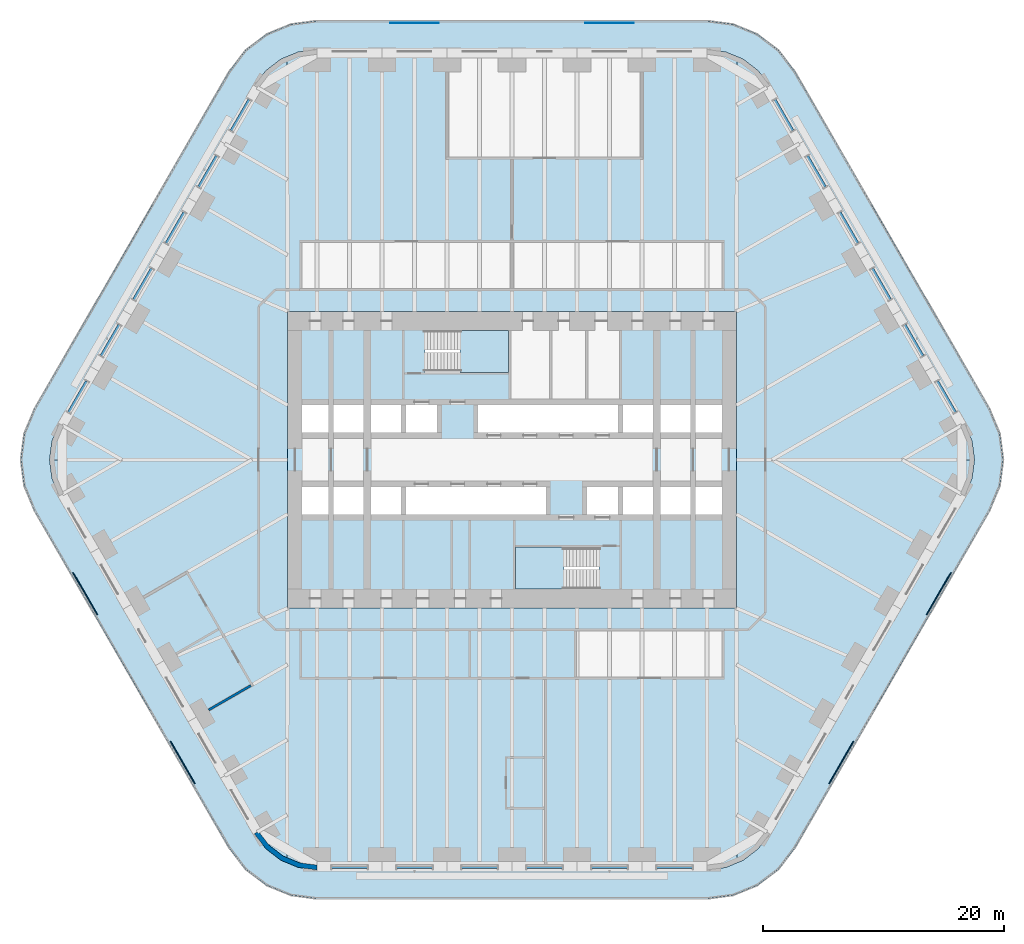
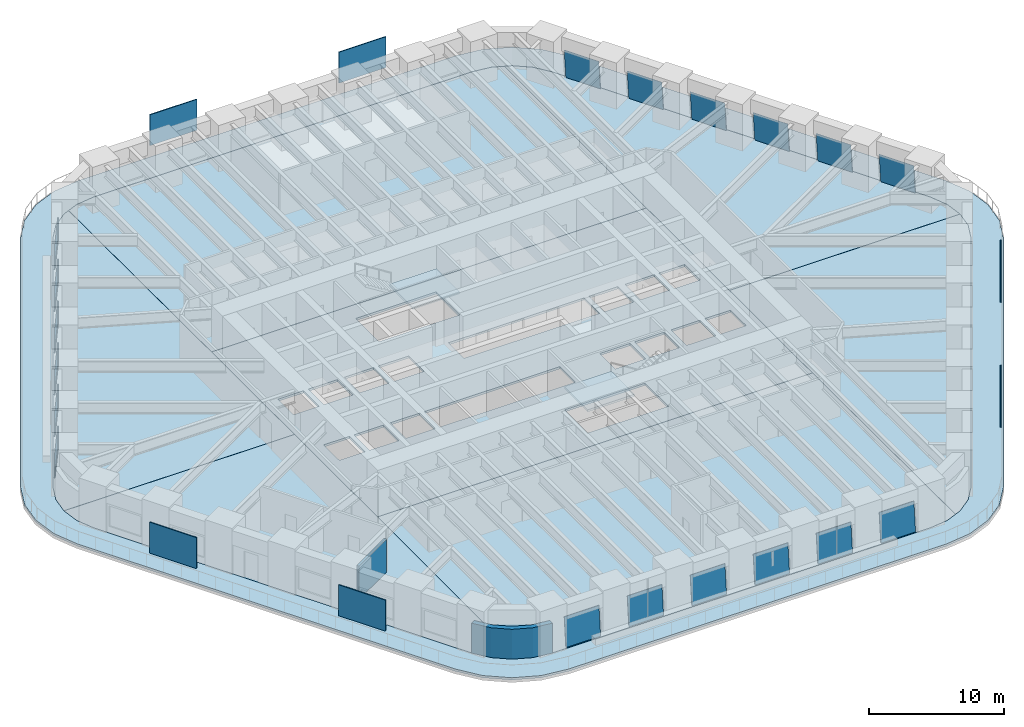
# One storey, part 15 of 23: 24 plates, 10 slabs, 2 walls, 20 elements without a shape of their own.
"""IFC4 building model written with IfcOpenShell, lengths in metres."""

from ifc_helpers import new_model, si_unit, direction, frame, frame_2d, origin, origin_2d, place, context, subcontext, project, spatial, polyline, rectangle, outline, extrude, material, layer, layer_set, type_object, element, aggregate, save


model = new_model("IFC4")

# Units and contexts
model_context = context("Model", 3, precision=1e-05, world=origin(), true_north=direction((0.0, 1.0)))
body_context = subcontext(model_context, "Body", "Model", "MODEL_VIEW")
ifc_project = project(units=[si_unit("LENGTHUNIT", "METRE"), si_unit("AREAUNIT", "SQUARE_METRE"), si_unit("VOLUMEUNIT", "CUBIC_METRE"), si_unit("PLANEANGLEUNIT", "RADIAN"), si_unit("MASSUNIT", "GRAM", prefix="KILO")], contexts=[model_context])

# Site, building, storey
site_placement = place(None, origin())
site = spatial("IfcSite", under=ifc_project, at=site_placement, CompositionType="ELEMENT")
building_placement = place(site_placement, origin())
building = spatial("IfcBuilding", under=site, at=building_placement, Name="Tarfa Lantern Tower", CompositionType="ELEMENT")
storey_placement = place(building_placement, frame((0.0, 0.0, 27.699951171875)))
storey = spatial("IfcBuildingStorey", under=building, at=storey_placement, Name="L05", CompositionType="ELEMENT", Elevation=27.699951171875)

# Slab
ifc_material_1 = material(Name="Concrete C40/50", Category="concrete")
ifc_layer_1 = layer(ifc_material_1, 0.199951171875)
ifc_layer_set_1 = layer_set([ifc_layer_1], Name="BS2 BALCONY SLAB 200")
slab_type_1 = type_object("IfcSlabType", Name="BS2 BALCONY SLAB 200", PredefinedType="FLOOR", material=ifc_layer_set_1)
slab_1_placement = place(storey_placement, frame((0.0, 0.0, -0.199951171875)))
element("IfcSlab", 1, at=slab_1_placement, inside=storey, type_object=slab_type_1, Name="Balcony L05", PredefinedType="FLOOR", context=body_context, shape_type="SweptSolid", body=[
    extrude(outline(polyline([(39.606201171875, 4.199951171875), (23.4404296875, 32.199951171875), (22.10546875, 33.939697265625), (20.36572265625, 35.274658203125), (18.33984375, 36.11376953125), (16.165771484375, 36.39990234375), (-16.165771484375, 36.39990234375), (-18.33984375, 36.11376953125), (-20.36572265625, 35.274658203125), (-22.10546875, 33.939697265625), (-23.4404296875, 32.199951171875), (-39.606201171875, 4.199951171875), (-40.4453125, 2.174072265625), (-40.731689453125, 0.0), (-40.4453125, -2.174072265625), (-39.606201171875, -4.199951171875), (-23.4404296875, -32.199951171875), (-22.10546875, -33.939697265625), (-20.36572265625, -35.274658203125), (-18.33984375, -36.11376953125), (-16.165771484375, -36.39990234375), (16.165771484375, -36.39990234375), (18.33984375, -36.11376953125), (20.36572265625, -35.274658203125), (22.10546875, -33.939697265625), (23.4404296875, -32.199951171875), (39.606201171875, -4.199951171875), (40.4453125, -2.174072265625), (40.731689453125, 0.0), (40.4453125, 2.174072265625), (39.606201171875, 4.199951171875)]), holes=[polyline([(37.52783203125, 3.0), (21.362060546875, 31.0), (20.408447265625, 32.24267578125), (19.165771484375, 33.196044921875), (17.71875, 33.795654296875), (16.165771484375, 34.0), (-16.165771484375, 34.0), (-17.71875, 33.795654296875), (-19.165771484375, 33.196044921875), (-20.408447265625, 32.24267578125), (-21.362060546875, 31.0), (-37.52783203125, 3.0), (-38.127197265625, 1.552978515625), (-38.33154296875, 0.0), (-38.127197265625, -1.552978515625), (-37.52783203125, -3.0), (-21.362060546875, -31.0), (-20.408447265625, -32.24267578125), (-19.165771484375, -33.196044921875), (-17.71875, -33.795654296875), (-16.165771484375, -34.0), (16.165771484375, -34.0), (17.71875, -33.795654296875), (19.165771484375, -33.196044921875), (20.408447265625, -32.24267578125), (21.362060546875, -31.0), (37.52783203125, -3.0), (38.127197265625, -1.552978515625), (38.33154296875, 0.0), (38.127197265625, 1.552978515625), (37.52783203125, 3.0)])]), origin(), (0.0, 0.0, 1.0), 0.199951171875),
])

# Curtain wall, plate
ifc_material_2 = material(Name="Aluminium framed curtain wall", Category="aluminium")
curtain_wall_type = type_object("IfcCurtainWallType", Name="CW1 CANTED GLAZING LOW ZONE 2700", PredefinedType="USERDEFINED", material=ifc_material_2)
curtain_wall_1_placement = place(storey_placement, origin())
curtain_wall_1 = element("IfcCurtainWall", 2, at=curtain_wall_1_placement, inside=storey, type_object=curtain_wall_type, Name="CW1 NE L05", ObjectType="CURTAIN WALL", PredefinedType="USERDEFINED")
ifc_material_3 = material(Name="Laminated double glazing", Category="glass")
ifc_layer_2 = layer(ifc_material_3, 0.028076171875)
ifc_layer_set_2 = layer_set([ifc_layer_2], Name="CWP1 DOUBLE GLAZED PANEL")
plate_type_1 = type_object("IfcPlateType", Name="CWP1 DOUBLE GLAZED PANEL", PredefinedType="CURTAIN_PANEL", material=ifc_layer_set_2)
plate_1_placement = place(storey_placement, frame((36.833740234375, 4.002197265625, 0.0), z_axis=(0.862327869115, 0.497882393798, 0.092215877663), x_axis=(-0.500013192991, 0.866017786667, 3.280829e-06)))
plate_1 = element("IfcPlate", 3, at=plate_1_placement, type_object=plate_type_1, Name="CW1 panel 1.1", PredefinedType="CURTAIN_PANEL", context=body_context, shape_type="SweptSolid", body=[
    extrude(outline(polyline([(0.0, 0.0), (2.9587247608884493, 1.3877787807814457e-17), (2.9586119504863087, 2.6462757391593192), (9.26313130443569e-06, 2.6462952359749448), (0.0, 0.0)])), origin(), (0.0, 0.0, -1.0), 0.028076171875),
])
aggregate(curtain_wall_1, [plate_1])

curtain_wall_2_placement = place(storey_placement, origin())
curtain_wall_2 = element("IfcCurtainWall", 4, at=curtain_wall_2_placement, inside=storey, type_object=curtain_wall_type, Name="CW1 NE L05", ObjectType="CURTAIN WALL", PredefinedType="USERDEFINED")
plate_2_placement = place(storey_placement, frame((34.139404296875, 8.6689453125, 0.0), z_axis=(0.862342481163, 0.497849746867, 0.09225548616), x_axis=(-0.499981985492, 0.866035804215, 0.0)))
plate_2 = element("IfcPlate", 5, at=plate_2_placement, type_object=plate_type_1, Name="CW1 panel 1.1", PredefinedType="CURTAIN_PANEL", context=body_context, shape_type="SweptSolid", body=[
    extrude(outline(polyline([(0.0, 0.0), (2.9586026892918595, 0.0), (2.958594509928721, 2.6462952380721316), (-8.179363138682455e-06, 2.6462952380721316), (0.0, 0.0)])), origin(), (0.0, 0.0, -1.0), 0.028076171875),
])
aggregate(curtain_wall_2, [plate_2])

curtain_wall_3_placement = place(storey_placement, origin())
curtain_wall_3 = element("IfcCurtainWall", 6, at=curtain_wall_3_placement, inside=storey, type_object=curtain_wall_type, Name="CW1 NE L05", ObjectType="CURTAIN WALL", PredefinedType="USERDEFINED")
plate_3_placement = place(storey_placement, frame((31.445068359375, 13.33544921875, 0.0), z_axis=(0.862331536503, 0.497884511238, 0.09217013953), x_axis=(-0.500012666981, 0.86601809037, -3.279351e-06)))
plate_3 = element("IfcPlate", 7, at=plate_3_placement, type_object=plate_type_1, Name="CW1 panel 1.1", PredefinedType="CURTAIN_PANEL", context=body_context, shape_type="SweptSolid", body=[
    extrude(outline(polyline([(0.0, 0.0), (2.958602687419229, -2.7755575615628914e-17), (2.9588059463239933, 2.6462839775192477), (8.118549973916932e-05, 2.6462644895697935), (0.0, 0.0)])), origin(), (0.0, 0.0, -1.0), 0.028076171875),
])
aggregate(curtain_wall_3, [plate_3])

curtain_wall_4_placement = place(storey_placement, origin())
curtain_wall_4 = element("IfcCurtainWall", 8, at=curtain_wall_4_placement, inside=storey, type_object=curtain_wall_type, Name="CW1 NE L05", ObjectType="CURTAIN WALL", PredefinedType="USERDEFINED")
plate_4_placement = place(storey_placement, frame((28.750732421875, 18.002197265625, 0.0), z_axis=(0.862327869115, 0.497882393798, 0.092215877663), x_axis=(-0.50001266672, 0.866018090521, -3.280965e-06)))
plate_4 = element("IfcPlate", 9, at=plate_4_placement, type_object=plate_type_1, Name="CW1 panel 1.1", PredefinedType="CURTAIN_PANEL", context=body_context, shape_type="SweptSolid", body=[
    extrude(outline(polyline([(0.0, 0.0), (2.958602687419245, 1.3877787807814457e-17), (2.9585945118013295, 2.646295235978528), (-0.00013024902287634953, 2.646275738358454), (0.0, 0.0)])), origin(), (0.0, 0.0, -1.0), 0.028076171875),
])
aggregate(curtain_wall_4, [plate_4])

curtain_wall_5_placement = place(storey_placement, origin())
curtain_wall_5 = element("IfcCurtainWall", 10, at=curtain_wall_5_placement, inside=storey, type_object=curtain_wall_type, Name="CW1 NE L05", ObjectType="CURTAIN WALL", PredefinedType="USERDEFINED")
plate_5_placement = place(storey_placement, frame((26.056396484375, 22.6689453125, 0.0), z_axis=(0.862348834857, 0.497853414997, 0.092176266992), x_axis=(-0.499981985492, 0.866035804215, 0.0)))
plate_5 = element("IfcPlate", 11, at=plate_5_placement, type_object=plate_type_1, Name="CW1 panel 1.1", PredefinedType="CURTAIN_PANEL", context=body_context, shape_type="SweptSolid", body=[
    extrude(outline(polyline([(0.0, 0.0), (2.9586026892918595, 0.0), (2.958472444014294, 2.6462757404522685), (-0.0001302452775655129, 2.6462757404522685), (0.0, 0.0)])), origin(), (0.0, 0.0, -1.0), 0.028076171875),
])
aggregate(curtain_wall_5, [plate_5])

curtain_wall_6_placement = place(storey_placement, origin())
curtain_wall_6 = element("IfcCurtainWall", 12, at=curtain_wall_6_placement, inside=storey, type_object=curtain_wall_type, Name="CW1 NE L05", ObjectType="CURTAIN WALL", PredefinedType="USERDEFINED")
plate_6_placement = place(storey_placement, frame((23.362060546875, 27.33544921875, 0.0), z_axis=(0.862352500545, 0.497855531282, 0.092130531185), x_axis=(-0.499981985492, 0.866035804215, 0.0)))
plate_6 = element("IfcPlate", 13, at=plate_6_placement, type_object=plate_type_1, Name="CW1 panel 1.1", PredefinedType="CURTAIN_PANEL", context=body_context, shape_type="SweptSolid", body=[
    extrude(outline(polyline([(0.0, 0.0), (2.9586026892918595, -1.3877787807814457e-17), (2.958683878536808, 2.646264491663335), (8.118924494802948e-05, 2.646264491663335), (0.0, 0.0)])), origin(), (0.0, 0.0, -1.0), 0.028076171875),
])
aggregate(curtain_wall_6, [plate_6])

curtain_wall_7_placement = place(storey_placement, origin())
curtain_wall_7 = element("IfcCurtainWall", 14, at=curtain_wall_7_placement, inside=storey, type_object=curtain_wall_type, Name="CW1 NW L05", ObjectType="CURTAIN WALL", PredefinedType="USERDEFINED")
plate_7_placement = place(storey_placement, frame((-21.8828125, 29.897705078125, 0.0), z_axis=(-0.862352500545, 0.497855531282, 0.092130531185), x_axis=(-0.499981985492, -0.866035804215, 0.0)))
plate_7 = element("IfcPlate", 15, at=plate_7_placement, type_object=plate_type_1, Name="CW1 panel 1.1", PredefinedType="CURTAIN_PANEL", context=body_context, shape_type="SweptSolid", body=[
    extrude(outline(polyline([(0.0, 0.0), (2.9586026892918595, 1.3877787807814457e-17), (2.9585215000469116, 2.646264491663335), (-8.118924494802948e-05, 2.646264491663335), (0.0, 0.0)])), origin(), (0.0, 0.0, -1.0), 0.028076171875),
])
aggregate(curtain_wall_7, [plate_7])

curtain_wall_8_placement = place(storey_placement, origin())
curtain_wall_8 = element("IfcCurtainWall", 16, at=curtain_wall_8_placement, inside=storey, type_object=curtain_wall_type, Name="CW1 NW L05", ObjectType="CURTAIN WALL", PredefinedType="USERDEFINED")
plate_8_placement = place(storey_placement, frame((-24.5771484375, 25.231201171875, 0.0), z_axis=(-0.862348834857, 0.497853414997, 0.092176266992), x_axis=(-0.499981985492, -0.866035804215, 0.0)))
plate_8 = element("IfcPlate", 17, at=plate_8_placement, type_object=plate_type_1, Name="CW1 panel 1.1", PredefinedType="CURTAIN_PANEL", context=body_context, shape_type="SweptSolid", body=[
    extrude(outline(polyline([(0.0, 0.0), (2.9586026892918595, 0.0), (2.9587329345694253, 2.6462757404522685), (0.0001302452775655129, 2.6462757404522685), (0.0, 0.0)])), origin(), (0.0, 0.0, -1.0), 0.028076171875),
])
aggregate(curtain_wall_8, [plate_8])

curtain_wall_9_placement = place(storey_placement, origin())
curtain_wall_9 = element("IfcCurtainWall", 18, at=curtain_wall_9_placement, inside=storey, type_object=curtain_wall_type, Name="CW1 NW L05", ObjectType="CURTAIN WALL", PredefinedType="USERDEFINED")
plate_9_placement = place(storey_placement, frame((-27.271484375, 20.564453125, 0.0), z_axis=(-0.862327869115, 0.497882393798, 0.092215877663), x_axis=(-0.50001266672, -0.866018090521, 3.280965e-06)))
plate_9 = element("IfcPlate", 19, at=plate_9_placement, type_object=plate_type_1, Name="CW1 panel 1.1", PredefinedType="CURTAIN_PANEL", context=body_context, shape_type="SweptSolid", body=[
    extrude(outline(polyline([(0.0, 0.0), (2.958602687419245, -1.3877787807814457e-17), (2.9587329364421215, 2.646275738358454), (8.175617915423306e-06, 2.646295235978528), (0.0, 0.0)])), origin(), (0.0, 0.0, -1.0), 0.028076171875),
])
aggregate(curtain_wall_9, [plate_9])

curtain_wall_10_placement = place(storey_placement, origin())
curtain_wall_10 = element("IfcCurtainWall", 20, at=curtain_wall_10_placement, inside=storey, type_object=curtain_wall_type, Name="CW1 NW L05", ObjectType="CURTAIN WALL", PredefinedType="USERDEFINED")
plate_10_placement = place(storey_placement, frame((-29.9658203125, 15.897705078125, 0.0), z_axis=(-0.862331536503, 0.497884511238, 0.09217013953), x_axis=(-0.500012666981, -0.86601809037, 3.279351e-06)))
plate_10 = element("IfcPlate", 21, at=plate_10_placement, type_object=plate_type_1, Name="CW1 panel 1.1", PredefinedType="CURTAIN_PANEL", context=body_context, shape_type="SweptSolid", body=[
    extrude(outline(polyline([(0.0, 0.0), (2.958602687419229, 2.7755575615628914e-17), (2.95852150191949, 2.6462644895697935), (-0.00020325890476380847, 2.6462839775192477), (0.0, 0.0)])), origin(), (0.0, 0.0, -1.0), 0.028076171875),
])
aggregate(curtain_wall_10, [plate_10])

curtain_wall_11_placement = place(storey_placement, origin())
curtain_wall_11 = element("IfcCurtainWall", 22, at=curtain_wall_11_placement, inside=storey, type_object=curtain_wall_type, Name="CW1 NW L05", ObjectType="CURTAIN WALL", PredefinedType="USERDEFINED")
plate_11_placement = place(storey_placement, frame((-32.66015625, 11.231201171875, 0.0), z_axis=(-0.862342481163, 0.497849746867, 0.09225548616), x_axis=(-0.499981985492, -0.866035804215, 0.0)))
plate_11 = element("IfcPlate", 23, at=plate_11_placement, type_object=plate_type_1, Name="CW1 panel 1.1", PredefinedType="CURTAIN_PANEL", context=body_context, shape_type="SweptSolid", body=[
    extrude(outline(polyline([(0.0, 0.0), (2.9586026892918595, 0.0), (2.9586108686549983, 2.6462952380721316), (8.179363138682455e-06, 2.6462952380721316), (0.0, 0.0)])), origin(), (0.0, 0.0, -1.0), 0.028076171875),
])
aggregate(curtain_wall_11, [plate_11])

curtain_wall_12_placement = place(storey_placement, origin())
curtain_wall_12 = element("IfcCurtainWall", 24, at=curtain_wall_12_placement, inside=storey, type_object=curtain_wall_type, Name="CW1 NW L05", ObjectType="CURTAIN WALL", PredefinedType="USERDEFINED")
plate_12_placement = place(storey_placement, frame((-35.354248046875, 6.564453125, 0.0), z_axis=(-0.862327869115, 0.497882393798, 0.092215877663), x_axis=(-0.500013192991, -0.866017786667, -3.280829e-06)))
plate_12 = element("IfcPlate", 25, at=plate_12_placement, type_object=plate_type_1, Name="CW1 panel 1.1", PredefinedType="CURTAIN_PANEL", context=body_context, shape_type="SweptSolid", body=[
    extrude(outline(polyline([(0.0, 0.0), (2.9587247608884493, -1.3877787807814457e-17), (2.9587154977571455, 2.6462952359749448), (0.00011281040214067216, 2.6462757391593192), (0.0, 0.0)])), origin(), (0.0, 0.0, -1.0), 0.028076171875),
])
aggregate(curtain_wall_12, [plate_12])

curtain_wall_13_placement = place(storey_placement, origin())
curtain_wall_13 = element("IfcCurtainWall", 26, at=curtain_wall_13_placement, inside=storey, type_object=curtain_wall_type, Name="CW1 S L05", ObjectType="CURTAIN WALL", PredefinedType="USERDEFINED")
plate_13_placement = place(storey_placement, frame((-14.950927734375, -33.89990234375, 0.0), z_axis=(0.0, -0.995743653657, 0.092166025202), x_axis=(1.0, 0.0, 0.0)))
plate_13 = element("IfcPlate", 27, at=plate_13_placement, type_object=plate_type_1, Name="CW1 panel 1.1", PredefinedType="CURTAIN_PANEL", context=body_context, shape_type="SweptSolid", body=[
    extrude(outline(polyline([(0.0, 0.0), (2.958740234375, 0.0), (2.958740234375, 2.6462732209712594), (0.0, 2.6462732209712594), (0.0, 0.0)])), origin(), (0.0, 0.0, -1.0), 0.028076171875),
])
aggregate(curtain_wall_13, [plate_13])

curtain_wall_14_placement = place(storey_placement, origin())
curtain_wall_14 = element("IfcCurtainWall", 28, at=curtain_wall_14_placement, inside=storey, type_object=curtain_wall_type, Name="CW1 S L05", ObjectType="CURTAIN WALL", PredefinedType="USERDEFINED")
plate_14_placement = place(storey_placement, frame((-9.562255859375, -33.89990234375, 0.0), z_axis=(0.0, -0.995743653657, 0.092166025202), x_axis=(1.0, 0.0, 0.0)))
plate_14 = element("IfcPlate", 29, at=plate_14_placement, type_object=plate_type_1, Name="CW1 panel 1.1", PredefinedType="CURTAIN_PANEL", context=body_context, shape_type="SweptSolid", body=[
    extrude(outline(polyline([(0.0, 0.0), (2.958740234375, 0.0), (2.958740234375, 2.6462732209712594), (0.0, 2.6462732209712594), (0.0, 0.0)])), origin(), (0.0, 0.0, -1.0), 0.028076171875),
])
aggregate(curtain_wall_14, [plate_14])

curtain_wall_15_placement = place(storey_placement, origin())
curtain_wall_15 = element("IfcCurtainWall", 30, at=curtain_wall_15_placement, inside=storey, type_object=curtain_wall_type, Name="CW1 S L05", ObjectType="CURTAIN WALL", PredefinedType="USERDEFINED")
plate_15_placement = place(storey_placement, frame((-4.173583984375, -33.89990234375, 0.0), z_axis=(0.0, -0.995743653657, 0.092166025202), x_axis=(1.0, 0.0, 0.0)))
plate_15 = element("IfcPlate", 31, at=plate_15_placement, type_object=plate_type_1, Name="CW1 panel 1.1", PredefinedType="CURTAIN_PANEL", context=body_context, shape_type="SweptSolid", body=[
    extrude(outline(polyline([(0.0, 0.0), (2.95849609375, 0.0), (2.95849609375, 2.6462732209712594), (0.0, 2.6462732209712594), (0.0, 0.0)])), origin(), (0.0, 0.0, -1.0), 0.028076171875),
])
aggregate(curtain_wall_15, [plate_15])

curtain_wall_16_placement = place(storey_placement, origin())
curtain_wall_16 = element("IfcCurtainWall", 32, at=curtain_wall_16_placement, inside=storey, type_object=curtain_wall_type, Name="CW1 S L05", ObjectType="CURTAIN WALL", PredefinedType="USERDEFINED")
plate_16_placement = place(storey_placement, frame((1.215087890625, -33.89990234375, 0.0), z_axis=(0.0, -0.995743653657, 0.092166025202), x_axis=(1.0, 0.0, 0.0)))
plate_16 = element("IfcPlate", 33, at=plate_16_placement, type_object=plate_type_1, Name="CW1 panel 1.1", PredefinedType="CURTAIN_PANEL", context=body_context, shape_type="SweptSolid", body=[
    extrude(outline(polyline([(0.0, 0.0), (2.95849609375, 0.0), (2.95849609375, 2.6462732209712594), (0.0, 2.6462732209712594), (0.0, 0.0)])), origin(), (0.0, 0.0, -1.0), 0.028076171875),
])
aggregate(curtain_wall_16, [plate_16])

curtain_wall_17_placement = place(storey_placement, origin())
curtain_wall_17 = element("IfcCurtainWall", 34, at=curtain_wall_17_placement, inside=storey, type_object=curtain_wall_type, Name="CW1 S L05", ObjectType="CURTAIN WALL", PredefinedType="USERDEFINED")
plate_17_placement = place(storey_placement, frame((6.603515625, -33.89990234375, 0.0), z_axis=(0.0, -0.995743653657, 0.092166025202), x_axis=(1.0, 0.0, 0.0)))
plate_17 = element("IfcPlate", 35, at=plate_17_placement, type_object=plate_type_1, Name="CW1 panel 1.1", PredefinedType="CURTAIN_PANEL", context=body_context, shape_type="SweptSolid", body=[
    extrude(outline(polyline([(0.0, 0.0), (2.958740234375, 0.0), (2.958740234375, 2.6462732209712594), (0.0, 2.6462732209712594), (0.0, 0.0)])), origin(), (0.0, 0.0, -1.0), 0.028076171875),
])
aggregate(curtain_wall_17, [plate_17])

curtain_wall_18_placement = place(storey_placement, origin())
curtain_wall_18 = element("IfcCurtainWall", 36, at=curtain_wall_18_placement, inside=storey, type_object=curtain_wall_type, Name="CW1 S L05", ObjectType="CURTAIN WALL", PredefinedType="USERDEFINED")
plate_18_placement = place(storey_placement, frame((11.9921875, -33.89990234375, 0.0), z_axis=(0.0, -0.995743653657, 0.092166025202), x_axis=(1.0, 0.0, 0.0)))
plate_18 = element("IfcPlate", 37, at=plate_18_placement, type_object=plate_type_1, Name="CW1 panel 1.1", PredefinedType="CURTAIN_PANEL", context=body_context, shape_type="SweptSolid", body=[
    extrude(outline(polyline([(0.0, 0.0), (2.958740234375, 0.0), (2.958740234375, 2.6462732209712594), (0.0, 2.6462732209712594), (0.0, 0.0)])), origin(), (0.0, 0.0, -1.0), 0.028076171875),
])
aggregate(curtain_wall_18, [plate_18])

# Slabs
ifc_layer_3 = layer(ifc_material_1, 0.199951171875)
ifc_layer_set_3 = layer_set([ifc_layer_3], Name="FS1 FLOOR SLAB 200")
slab_type_2 = type_object("IfcSlabType", Name="FS1 FLOOR SLAB 200", PredefinedType="FLOOR", material=ifc_layer_set_3)
slab_2_placement = place(storey_placement, frame((0.0, 0.0, -0.199951171875)))
element("IfcSlab", 38, at=slab_2_placement, inside=storey, type_object=slab_type_2, Name="Floor slab L05", PredefinedType="FLOOR", context=body_context, shape_type="SweptSolid", body=[
    extrude(outline(polyline([(-18.60009765625, -12.300048828125), (18.60009765625, -12.300048828125), (18.60009765625, 12.300048828125), (-18.60009765625, 12.300048828125), (-18.60009765625, -12.300048828125)]), holes=[polyline([(-17.39990234375, 2.25), (-15.199951171875, 2.25), (-15.199951171875, 4.550048828125), (-17.39990234375, 4.550048828125), (-17.39990234375, 2.25)]), polyline([(-14.800048828125, 2.25), (-12.300048828125, 2.25), (-12.300048828125, 4.550048828125), (-14.800048828125, 4.550048828125), (-14.800048828125, 2.25)]), polyline([(-11.699951171875, 2.25), (-9.199951171875, 2.25), (-9.199951171875, 4.550048828125), (-11.699951171875, 4.550048828125), (-11.699951171875, 2.25)]), polyline([(-8.800048828125, 2.25), (-6.199951171875, 2.25), (-6.199951171875, 4.550048828125), (-8.800048828125, 4.550048828125), (-8.800048828125, 2.25)]), polyline([(-2.800048828125, 2.25), (8.800048828125, 2.25), (8.800048828125, 4.550048828125), (-2.800048828125, 4.550048828125), (-2.800048828125, 2.25)]), polyline([(9.199951171875, 2.25), (11.699951171875, 2.25), (11.699951171875, 4.550048828125), (9.199951171875, 4.550048828125), (9.199951171875, 2.25)]), polyline([(12.300048828125, 2.25), (14.800048828125, 2.25), (14.800048828125, 4.550048828125), (12.300048828125, 4.550048828125), (12.300048828125, 2.25)]), polyline([(15.199951171875, 2.25), (17.39990234375, 2.25), (17.39990234375, 4.550048828125), (15.199951171875, 4.550048828125), (15.199951171875, 2.25)]), polyline([(17.39990234375, -2.25), (15.199951171875, -2.25), (15.199951171875, -4.550048828125), (17.39990234375, -4.550048828125), (17.39990234375, -2.25)]), polyline([(14.800048828125, -2.25), (12.300048828125, -2.25), (12.300048828125, -4.550048828125), (14.800048828125, -4.550048828125), (14.800048828125, -2.25)]), polyline([(11.699951171875, -2.25), (9.199951171875, -2.25), (9.199951171875, -4.550048828125), (11.699951171875, -4.550048828125), (11.699951171875, -2.25)]), polyline([(8.800048828125, -2.25), (6.199951171875, -2.25), (6.199951171875, -4.550048828125), (8.800048828125, -4.550048828125), (8.800048828125, -2.25)]), polyline([(2.800048828125, -2.25), (-8.800048828125, -2.25), (-8.800048828125, -4.550048828125), (2.800048828125, -4.550048828125), (2.800048828125, -2.25)]), polyline([(-9.199951171875, -2.25), (-11.699951171875, -2.25), (-11.699951171875, -4.550048828125), (-9.199951171875, -4.550048828125), (-9.199951171875, -2.25)]), polyline([(-12.300048828125, -2.25), (-14.800048828125, -2.25), (-14.800048828125, -4.550048828125), (-12.300048828125, -4.550048828125), (-12.300048828125, -2.25)]), polyline([(-15.199951171875, -2.25), (-17.39990234375, -2.25), (-17.39990234375, -4.550048828125), (-15.199951171875, -4.550048828125), (-15.199951171875, -2.25)]), polyline([(-7.199951171875, 7.25), (-0.300048828125, 7.25), (-0.300048828125, 10.699951171875), (-7.199951171875, 10.699951171875), (-7.199951171875, 7.25)]), polyline([(7.199951171875, -7.25), (0.300048828125, -7.25), (0.300048828125, -10.699951171875), (7.199951171875, -10.699951171875), (7.199951171875, -7.25)])]), origin(), (0.0, 0.0, 1.0), 0.199951171875),
])
slab_3_placement = place(storey_placement, frame((0.0, 0.0, -0.199951171875)))
element("IfcSlab", 39, at=slab_3_placement, inside=storey, type_object=slab_type_2, Name="Floor slab L05 NE bay", PredefinedType="FLOOR", context=body_context, shape_type="SweptSolid", body=[
    extrude(outline(polyline([(37.52587890625, 2.9990234375), (21.3603515625, 30.998779296875), (20.406982421875, 32.2412109375), (19.164794921875, 33.1943359375), (18.64697265625, 33.408935546875), (18.60205078125, 12.300048828125), (18.60205078125, 0.001953125), (38.329345703125, 0.001953125), (38.125244140625, 1.552490234375), (37.52587890625, 2.9990234375)])), origin(), (0.0, 0.0, 1.0), 0.199951171875),
])
slab_4_placement = place(storey_placement, frame((0.0, 0.0, -0.199951171875)))
element("IfcSlab", 40, at=slab_4_placement, inside=storey, type_object=slab_type_2, Name="Floor slab L05 N bay", PredefinedType="FLOOR", context=body_context, shape_type="SweptSolid", body=[
    extrude(outline(polyline([(-18.597900390625, 12.302001953125), (18.597900390625, 12.302001953125), (18.64306640625, 33.41064453125), (17.71826171875, 33.793701171875), (16.165771484375, 33.998046875), (-16.165771484375, 33.998046875), (-17.71826171875, 33.793701171875), (-18.64306640625, 33.41064453125), (-18.597900390625, 12.302001953125)])), origin(), (0.0, 0.0, 1.0), 0.199951171875),
])
slab_5_placement = place(storey_placement, frame((0.0, 0.0, -0.199951171875)))
element("IfcSlab", 41, at=slab_5_placement, inside=storey, type_object=slab_type_2, Name="Floor slab L05 NW bay", PredefinedType="FLOOR", context=body_context, shape_type="SweptSolid", body=[
    extrude(outline(polyline([(-18.60205078125, 0.001953125), (-18.60205078125, 12.300048828125), (-18.64697265625, 33.408935546875), (-19.164794921875, 33.1943359375), (-20.406982421875, 32.2412109375), (-21.3603515625, 30.998779296875), (-37.52587890625, 2.9990234375), (-38.125244140625, 1.552490234375), (-38.329345703125, 0.001953125), (-18.60205078125, 0.001953125)])), origin(), (0.0, 0.0, 1.0), 0.199951171875),
])
slab_6_placement = place(storey_placement, frame((0.0, 0.0, -0.199951171875)))
element("IfcSlab", 42, at=slab_6_placement, inside=storey, type_object=slab_type_2, Name="Floor slab L05 SW bay", PredefinedType="FLOOR", context=body_context, shape_type="SweptSolid", body=[
    extrude(outline(polyline([(-18.60205078125, -12.300048828125), (-18.60205078125, -0.001953125), (-38.329345703125, -0.001953125), (-38.125244140625, -1.552490234375), (-37.52587890625, -2.9990234375), (-21.3603515625, -30.998779296875), (-20.406982421875, -32.2412109375), (-19.164794921875, -33.1943359375), (-18.64697265625, -33.408935546875), (-18.60205078125, -12.300048828125)])), origin(), (0.0, 0.0, 1.0), 0.199951171875),
])
slab_7_placement = place(storey_placement, frame((0.0, 0.0, -0.199951171875)))
element("IfcSlab", 43, at=slab_7_placement, inside=storey, type_object=slab_type_2, Name="Floor slab L05 S bay", PredefinedType="FLOOR", context=body_context, shape_type="SweptSolid", body=[
    extrude(outline(polyline([(18.597900390625, -12.302001953125), (-18.597900390625, -12.302001953125), (-18.64306640625, -33.41064453125), (-17.71826171875, -33.793701171875), (-16.165771484375, -33.998046875), (16.165771484375, -33.998046875), (17.71826171875, -33.793701171875), (18.64306640625, -33.41064453125), (18.597900390625, -12.302001953125)])), origin(), (0.0, 0.0, 1.0), 0.199951171875),
])
slab_8_placement = place(storey_placement, frame((0.0, 0.0, -0.199951171875)))
element("IfcSlab", 44, at=slab_8_placement, inside=storey, type_object=slab_type_2, Name="Floor slab L05 SE bay", PredefinedType="FLOOR", context=body_context, shape_type="SweptSolid", body=[
    extrude(outline(polyline([(18.60205078125, -0.001953125), (18.60205078125, -12.300048828125), (18.64697265625, -33.408935546875), (19.164794921875, -33.1943359375), (20.406982421875, -32.2412109375), (21.3603515625, -30.998779296875), (37.52587890625, -2.9990234375), (38.125244140625, -1.552490234375), (38.329345703125, -0.001953125), (18.60205078125, -0.001953125)])), origin(), (0.0, 0.0, 1.0), 0.199951171875),
])

# Plates
ifc_material_4 = material(Name="Perforated limestone screen", Category="masonry")
ifc_layer_4 = layer(ifc_material_4, 0.080078125)
ifc_layer_set_4 = layer_set([ifc_layer_4], Name="SC1 STONE SCREEN 80")
plate_type_2 = type_object("IfcPlateType", Name="SC1 STONE SCREEN 80", PredefinedType="USERDEFINED", material=ifc_layer_set_4)
for number, where, z_axis, x_axis, name in (
    (45, (8.0830078125, 36.199951171875, 1.2001953125), (0.0, 0.0, 1.0), (-1.0, 0.0, 0.0), "Stone screen N 1"),
    (46, (-8.0830078125, 36.199951171875, 1.2001953125), (0.0, 0.0, 1.0), (-1.0, 0.0, 0.0), "Stone screen N 2"),
    (47, (-35.3916015625, -11.10009765625, 1.2001953125), (0.0, 0.0, 1.0), (0.5, -0.866025403784, 0.0), "Stone screen SW 1"),
    (48, (-27.30859375, -25.10009765625, 1.2001953125), (0.0, 0.0, 1.0), (0.5, -0.866025403784, 0.0), "Stone screen SW 2"),
    (49, (27.30859375, -25.10009765625, 1.2001953125), (0.0, 0.0, 1.0), (0.5, 0.866025403784, 0.0), "Stone screen SE 1"),
    (50, (35.3916015625, -11.10009765625, 1.2001953125), (0.0, 0.0, 1.0), (0.5, 0.866025403784, 0.0), "Stone screen SE 2"),
):
    element("IfcPlate", number, at=place(storey_placement, frame(where, z_axis=z_axis, x_axis=x_axis)), inside=storey, type_object=plate_type_2, Name=name, ObjectType="SCREEN", PredefinedType="USERDEFINED", context=body_context, shape_type="SweptSolid", body=[
        extrude(rectangle(XDim=4.0, YDim=0.080078125, at=origin_2d()), origin(), (0.0, 0.0, 1.0), 2.800048828125),
    ])

# Stair, slab
stair_type = type_object("IfcStairType", Name="ST-T10 HALF-TURN STAIR 4200 RISE", PredefinedType="HALF_TURN_STAIR", material=ifc_material_1)
stair_1_placement = place(storey_placement, origin())
stair_1 = element("IfcStair", 51, at=stair_1_placement, inside=storey, type_object=stair_type, Name="Stair ST1", PredefinedType="HALF_TURN_STAIR")
ifc_layer_5 = layer(ifc_material_1, 0.199951171875)
ifc_layer_set_5 = layer_set([ifc_layer_5], Name="SL1 STAIR LANDING 200")
slab_type_3 = type_object("IfcSlabType", Name="SL1 STAIR LANDING 200", PredefinedType="LANDING", material=ifc_layer_set_5)
slab_9_placement = place(storey_placement, frame((0.0, 0.0, 1.900146484375)))
slab_9 = element("IfcSlab", 52, at=slab_9_placement, type_object=slab_type_3, Name="ST1 landing 1", PredefinedType="LANDING", context=body_context, shape_type="SweptSolid", body=[
    extrude(outline(polyline([(-4.320068359375, 7.25), (-0.300048828125, 7.25), (-0.300048828125, 10.699951171875), (-4.320068359375, 10.699951171875), (-4.320068359375, 7.25)])), origin(), (0.0, 0.0, 1.0), 0.199951171875),
])
aggregate(stair_1, [slab_9])

stair_2_placement = place(storey_placement, origin())
stair_2 = element("IfcStair", 53, at=stair_2_placement, inside=storey, type_object=stair_type, Name="Stair ST2", PredefinedType="HALF_TURN_STAIR")
slab_10_placement = place(storey_placement, frame((0.0, 0.0, 1.900146484375)))
slab_10 = element("IfcSlab", 54, at=slab_10_placement, type_object=slab_type_3, Name="ST2 landing 1", PredefinedType="LANDING", context=body_context, shape_type="SweptSolid", body=[
    extrude(outline(polyline([(4.320068359375, -7.25), (0.300048828125, -7.25), (0.300048828125, -10.699951171875), (4.320068359375, -10.699951171875), (4.320068359375, -7.25)])), origin(), (0.0, 0.0, 1.0), 0.199951171875),
])
aggregate(stair_2, [slab_10])

# Walls
ifc_material_5 = material(Name="Limestone cladding on blockwork", Category="masonry")
ifc_layer_6 = layer(ifc_material_5, 0.39990234375)
ifc_layer_set_6 = layer_set([ifc_layer_6], Name="EW2 CURVED STONE CORNER 400")
wall_type_1 = type_object("IfcWallType", Name="EW2 CURVED STONE CORNER 400", PredefinedType="SOLIDWALL", material=ifc_layer_set_6)
wall_1_placement = place(storey_placement, origin())
element("IfcWall", 55, at=wall_1_placement, inside=storey, type_object=wall_type_1, Name="Stone corner SW-S", PredefinedType="SOLIDWALL", context=body_context, shape_type="SweptSolid", body=[
    extrude(outline(polyline([(-21.362060546875, -31.0), (-20.408447265625, -32.24267578125), (-19.165771484375, -33.196044921875), (-17.71875, -33.795654296875), (-16.165771484375, -34.0), (-16.165771484375, -33.60009765625), (-17.615234375, -33.4091796875), (-18.9658203125, -32.849853515625), (-20.12548828125, -31.959716796875), (-21.015625, -30.800048828125), (-21.362060546875, -31.0)])), origin(), (0.0, 0.0, 1.0), 2.699951171875),
])
ifc_material_6 = material(Name="Gypsum board on steel studs", Category="steel")
ifc_layer_7 = layer(ifc_material_6, 0.2099609375)
ifc_layer_set_7 = layer_set([ifc_layer_7], Name="IW2 ACOUSTIC PARTITION 200")
wall_type_2 = type_object("IfcWallType", Name="IW2 ACOUSTIC PARTITION 200", PredefinedType="PARTITIONING", material=ifc_layer_set_7)
wall_2_placement = place(storey_placement, frame((-21.64111328125, -18.716552734375, 0.0), z_axis=(0.0, 0.0, 1.0), x_axis=(-0.866004885491, -0.500035537042, 0.0)))
element("IfcWall", 56, at=wall_2_placement, inside=storey, type_object=wall_type_2, Name="Partition", PredefinedType="PARTITIONING", context=body_context, shape_type="SweptSolid", body=[
    extrude(rectangle(XDim=4.050048828125, YDim=0.199951171875, at=frame_2d((2.02490234375, 0.0))), origin(), (0.0, 0.0, 1.0), 2.991943359375),
])

save(model, "model.ifc")
